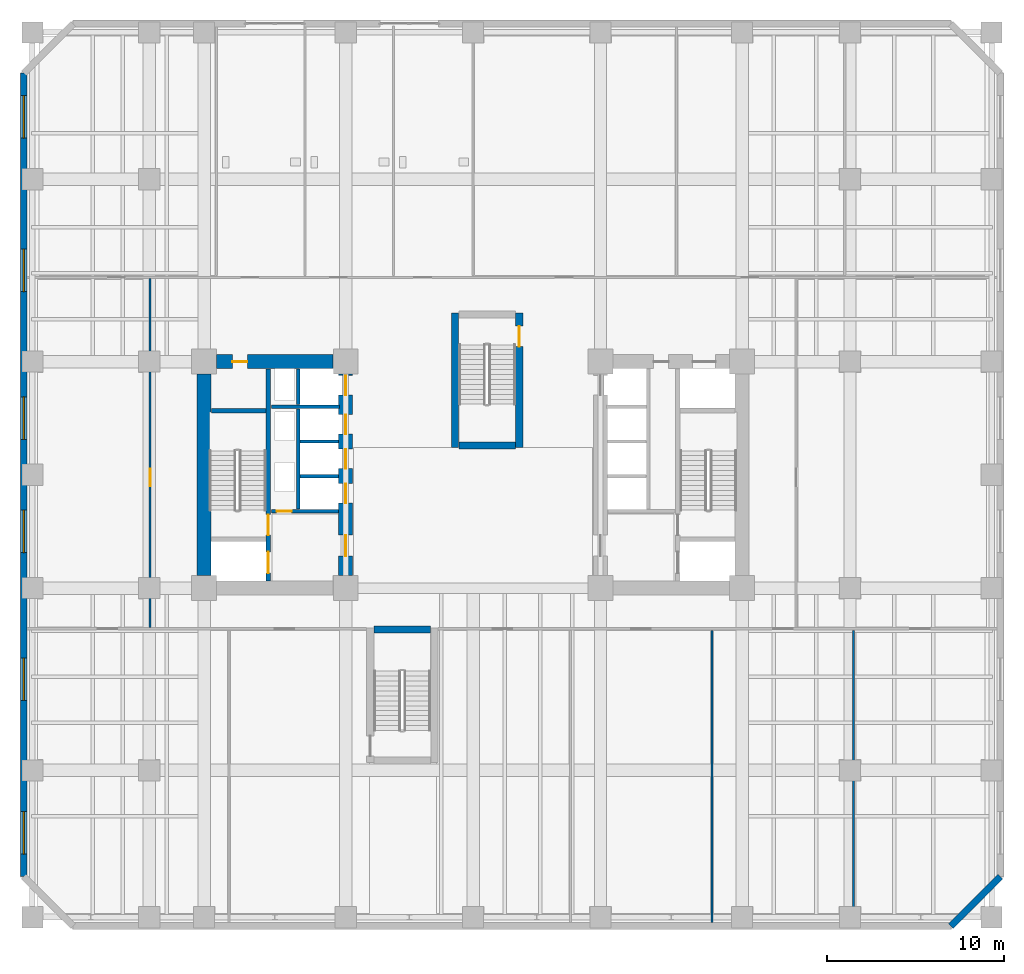
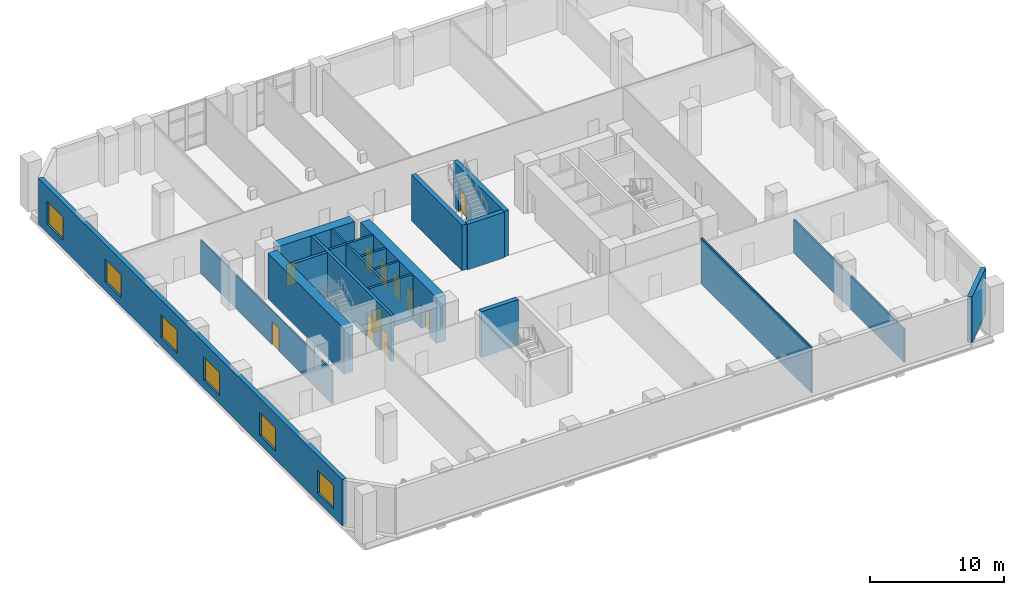
# One storey, part 7 of 15: 20 walls, 11 doors, 6 windows, 17 openings.
"""IFC4 building model written with IfcOpenShell, lengths in metres."""

from ifc_helpers import new_model, si_unit, direction, frame, frame_2d, origin, place, context, subcontext, project, spatial, rectangle, extrude, material, layer, layer_set, type_object, element, fill, save


model = new_model("IFC4")

# Units and contexts
model_context = context("Model", 3, precision=1e-05, world=origin(), true_north=direction((0.0, 1.0)))
body_context = subcontext(model_context, "Body", "Model", "MODEL_VIEW")
ifc_project = project(units=[si_unit("LENGTHUNIT", "METRE"), si_unit("AREAUNIT", "SQUARE_METRE"), si_unit("VOLUMEUNIT", "CUBIC_METRE"), si_unit("PLANEANGLEUNIT", "RADIAN"), si_unit("MASSUNIT", "GRAM", prefix="KILO")], contexts=[model_context])

# Site, building, storey
site_placement = place(None, origin())
site = spatial("IfcSite", under=ifc_project, at=site_placement, CompositionType="ELEMENT")
building_placement = place(site_placement, origin())
building = spatial("IfcBuilding", under=site, at=building_placement, Name="Kranthara Brick Stack", CompositionType="ELEMENT")
storey_placement = place(building_placement, frame((0.0, 0.0, 9.89990234375)))
storey = spatial("IfcBuildingStorey", under=building, at=storey_placement, Name="L02", CompositionType="ELEMENT", Elevation=9.89990234375)

# Wall, openings, windows
ifc_material_1 = material(Name="Kiln-fired clay brick masonry M15", Category="masonry")
ifc_layer_1 = layer(ifc_material_1, 0.3798828125)
ifc_layer_set_1 = layer_set([ifc_layer_1], Name="Kiln-fired clay brick masonry M15")
wall_type_1 = type_object("IfcWallType", Name="WL-BRK-PIER-380", PredefinedType="STANDARD", material=ifc_layer_set_1)
wall_1_placement = place(storey_placement, frame((2.610107421875, 4.5, 0.0), z_axis=(0.0, 0.0, 1.0), x_axis=(0.0, 1.0, 0.0)))
wall_1 = element("IfcWall", 1, at=wall_1_placement, inside=storey, type_object=wall_type_1, Name="L02 Exterior Brick Facade Wall WEST 1", PredefinedType="STANDARD", context=body_context, shape_type="SweptSolid", body=[
    extrude(rectangle(XDim=45.39990234375, YDim=0.3798828125, at=frame_2d((22.699951171875, 0.0))), origin(), (0.0, 0.0, 1.0), 4.18017578125),
])
opening_1_placement = place(wall_1_placement, frame((1.27490234375, 0.0, 0.75)))
opening_1 = element("IfcOpeningElement", 2, at=opening_1_placement, cuts=wall_1, Name="Opening WN11", PredefinedType="OPENING", context=body_context, shape_type="SweptSolid", body=[
    extrude(rectangle(XDim=2.39990234375, YDim=2.10009765625, at=frame_2d((1.199951171875, 1.050048828125))), frame((0.0, 0.199951171875, 0.0), z_axis=(0.0, -1.0, 0.0), x_axis=(1.0, 0.0, 0.0)), (0.0, 0.0, 1.0), 0.39990234375),
])
opening_2_placement = place(wall_1_placement, frame((9.949951171875, 0.0, 0.75)))
opening_2 = element("IfcOpeningElement", 3, at=opening_2_placement, cuts=wall_1, Name="Opening WN11", PredefinedType="OPENING", context=body_context, shape_type="SweptSolid", body=[
    extrude(rectangle(XDim=2.39990234375, YDim=2.10009765625, at=frame_2d((1.199951171875, 1.050048828125))), frame((0.0, 0.199951171875, 0.0), z_axis=(0.0, -1.0, 0.0), x_axis=(1.0, 0.0, 0.0)), (0.0, 0.0, 1.0), 0.39990234375),
])
opening_3_placement = place(wall_1_placement, frame((18.300048828125, 0.0, 0.75)))
opening_3 = element("IfcOpeningElement", 4, at=opening_3_placement, cuts=wall_1, Name="Opening WN11", PredefinedType="OPENING", context=body_context, shape_type="SweptSolid", body=[
    extrude(rectangle(XDim=2.39990234375, YDim=2.10009765625, at=frame_2d((1.199951171875, 1.050048828125))), frame((0.0, 0.199951171875, 0.0), z_axis=(0.0, -1.0, 0.0), x_axis=(1.0, 0.0, 0.0)), (0.0, 0.0, 1.0), 0.39990234375),
])
opening_4_placement = place(wall_1_placement, frame((24.699951171875, 0.0, 0.75)))
opening_4 = element("IfcOpeningElement", 5, at=opening_4_placement, cuts=wall_1, Name="Opening WN11", PredefinedType="OPENING", context=body_context, shape_type="SweptSolid", body=[
    extrude(rectangle(XDim=2.39990234375, YDim=2.10009765625, at=frame_2d((1.199951171875, 1.050048828125))), frame((0.0, 0.199951171875, 0.0), z_axis=(0.0, -1.0, 0.0), x_axis=(1.0, 0.0, 0.0)), (0.0, 0.0, 1.0), 0.39990234375),
])
opening_5_placement = place(wall_1_placement, frame((33.050048828125, 0.0, 0.75)))
opening_5 = element("IfcOpeningElement", 6, at=opening_5_placement, cuts=wall_1, Name="Opening WN11", PredefinedType="OPENING", context=body_context, shape_type="SweptSolid", body=[
    extrude(rectangle(XDim=2.39990234375, YDim=2.10009765625, at=frame_2d((1.199951171875, 1.050048828125))), frame((0.0, 0.199951171875, 0.0), z_axis=(0.0, -1.0, 0.0), x_axis=(1.0, 0.0, 0.0)), (0.0, 0.0, 1.0), 0.39990234375),
])
opening_6_placement = place(wall_1_placement, frame((41.72509765625, 0.0, 0.75)))
opening_6 = element("IfcOpeningElement", 7, at=opening_6_placement, cuts=wall_1, Name="Opening WN11", PredefinedType="OPENING", context=body_context, shape_type="SweptSolid", body=[
    extrude(rectangle(XDim=2.39990234375, YDim=2.10009765625, at=frame_2d((1.199951171875, 1.050048828125))), frame((0.0, 0.199951171875, 0.0), z_axis=(0.0, -1.0, 0.0), x_axis=(1.0, 0.0, 0.0)), (0.0, 0.0, 1.0), 0.39990234375),
])
ifc_material_2 = material(Name="Double-glazed low-E solar control glass", Category="glass")
window_type = type_object("IfcWindowType", Name="WN-POD-2400x2100", PartitioningType="TRIPLE_PANEL_VERTICAL", PredefinedType="WINDOW", material=ifc_material_2)
window_1_placement = place(opening_1_placement, origin())
window_1 = element("IfcWindow", 8, at=window_1_placement, inside=storey, type_object=window_type, Name="L02 WEST Podium Window", OverallHeight=2.10009765625, OverallWidth=2.39990234375, PartitioningType="SINGLE_PANEL", PredefinedType="WINDOW", context=body_context, shape_type="SweptSolid", body=[
    extrude(rectangle(XDim=2.39990234375, YDim=2.10009765625, at=frame_2d((1.199951171875, 1.050048828125))), frame((0.0, 0.030029296875, 0.0), z_axis=(0.0, -1.0, 0.0), x_axis=(1.0, 0.0, 0.0)), (0.0, 0.0, 1.0), 0.06005859375),
])
fill(opening_1, window_1)
window_2_placement = place(opening_2_placement, origin())
window_2 = element("IfcWindow", 9, at=window_2_placement, inside=storey, type_object=window_type, Name="L02 WEST Podium Window", OverallHeight=2.10009765625, OverallWidth=2.39990234375, PartitioningType="SINGLE_PANEL", PredefinedType="WINDOW", context=body_context, shape_type="SweptSolid", body=[
    extrude(rectangle(XDim=2.39990234375, YDim=2.10009765625, at=frame_2d((1.199951171875, 1.050048828125))), frame((0.0, 0.030029296875, 0.0), z_axis=(0.0, -1.0, 0.0), x_axis=(1.0, 0.0, 0.0)), (0.0, 0.0, 1.0), 0.06005859375),
])
fill(opening_2, window_2)
window_3_placement = place(opening_3_placement, origin())
window_3 = element("IfcWindow", 10, at=window_3_placement, inside=storey, type_object=window_type, Name="L02 WEST Podium Window", OverallHeight=2.10009765625, OverallWidth=2.39990234375, PartitioningType="SINGLE_PANEL", PredefinedType="WINDOW", context=body_context, shape_type="SweptSolid", body=[
    extrude(rectangle(XDim=2.39990234375, YDim=2.10009765625, at=frame_2d((1.199951171875, 1.050048828125))), frame((0.0, 0.030029296875, 0.0), z_axis=(0.0, -1.0, 0.0), x_axis=(1.0, 0.0, 0.0)), (0.0, 0.0, 1.0), 0.06005859375),
])
fill(opening_3, window_3)
window_4_placement = place(opening_4_placement, origin())
window_4 = element("IfcWindow", 11, at=window_4_placement, inside=storey, type_object=window_type, Name="L02 WEST Podium Window", OverallHeight=2.10009765625, OverallWidth=2.39990234375, PartitioningType="SINGLE_PANEL", PredefinedType="WINDOW", context=body_context, shape_type="SweptSolid", body=[
    extrude(rectangle(XDim=2.39990234375, YDim=2.10009765625, at=frame_2d((1.199951171875, 1.050048828125))), frame((0.0, 0.030029296875, 0.0), z_axis=(0.0, -1.0, 0.0), x_axis=(1.0, 0.0, 0.0)), (0.0, 0.0, 1.0), 0.06005859375),
])
fill(opening_4, window_4)
window_5_placement = place(opening_5_placement, origin())
window_5 = element("IfcWindow", 12, at=window_5_placement, inside=storey, type_object=window_type, Name="L02 WEST Podium Window", OverallHeight=2.10009765625, OverallWidth=2.39990234375, PartitioningType="SINGLE_PANEL", PredefinedType="WINDOW", context=body_context, shape_type="SweptSolid", body=[
    extrude(rectangle(XDim=2.39990234375, YDim=2.10009765625, at=frame_2d((1.199951171875, 1.050048828125))), frame((0.0, 0.030029296875, 0.0), z_axis=(0.0, -1.0, 0.0), x_axis=(1.0, 0.0, 0.0)), (0.0, 0.0, 1.0), 0.06005859375),
])
fill(opening_5, window_5)
window_6_placement = place(opening_6_placement, origin())
window_6 = element("IfcWindow", 13, at=window_6_placement, inside=storey, type_object=window_type, Name="L02 WEST Podium Window", OverallHeight=2.10009765625, OverallWidth=2.39990234375, PartitioningType="SINGLE_PANEL", PredefinedType="WINDOW", context=body_context, shape_type="SweptSolid", body=[
    extrude(rectangle(XDim=2.39990234375, YDim=2.10009765625, at=frame_2d((1.199951171875, 1.050048828125))), frame((0.0, 0.030029296875, 0.0), z_axis=(0.0, -1.0, 0.0), x_axis=(1.0, 0.0, 0.0)), (0.0, 0.0, 1.0), 0.06005859375),
])
fill(opening_6, window_6)

# Wall
wall_2_placement = place(storey_placement, frame((57.7900390625, 4.5, 0.0), z_axis=(0.0, 0.0, 1.0), x_axis=(-0.707106781187, -0.707106781187, 0.0)))
element("IfcWall", 14, at=wall_2_placement, inside=storey, type_object=wall_type_1, Name="L02 Exterior Brick Facade Wall SE 1", PredefinedType="STANDARD", context=body_context, shape_type="SweptSolid", body=[
    extrude(rectangle(XDim=3.94580078125, YDim=0.3798828125, at=frame_2d((1.972900390625, 0.0))), origin(), (0.0, 0.0, 1.0), 4.18017578125),
])

# Wall, openings, doors
ifc_material_3 = material(Name="Concrete C50/60", Category="concrete")
ifc_layer_2 = layer(ifc_material_3, 0.25)
ifc_layer_set_2 = layer_set([ifc_layer_2], Name="Concrete C50/60")
wall_type_2 = type_object("IfcWallType", Name="WL-CORE-250", PredefinedType="SHEAR", material=ifc_layer_set_2)
wall_3_placement = place(storey_placement, frame((16.43505859375, 21.2099609375, 0.0), z_axis=(0.0, 0.0, 1.0), x_axis=(0.0, 1.0, 0.0)))
wall_3 = element("IfcWall", 15, at=wall_3_placement, inside=storey, type_object=wall_type_2, Name="L02 West Core Stair Bearing Spine Wall", PredefinedType="SHEAR", context=body_context, shape_type="SweptSolid", body=[
    extrude(rectangle(XDim=11.97998046875, YDim=0.25, at=frame_2d((5.989990234375, 0.0))), origin(), (0.0, 0.0, 1.0), 4.18017578125),
])
opening_7_placement = place(wall_3_placement, frame((0.43994140625, 0.0, 0.0)))
opening_7 = element("IfcOpeningElement", 16, at=opening_7_placement, cuts=wall_3, Name="Opening LD01", PredefinedType="OPENING", context=body_context, shape_type="SweptSolid", body=[
    extrude(rectangle(XDim=1.199951171875, YDim=2.14990234375, at=frame_2d((0.60009765625, 1.074951171875))), frame((0.0, 0.135009765625, 0.0), z_axis=(0.0, -1.0, 0.0), x_axis=(1.0, 0.0, 0.0)), (0.0, 0.0, 1.0), 0.27001953125),
])
opening_8_placement = place(wall_3_placement, frame((2.590087890625, 0.0, 0.0)))
opening_8 = element("IfcOpeningElement", 17, at=opening_8_placement, cuts=wall_3, Name="Opening D05", PredefinedType="OPENING", context=body_context, shape_type="SweptSolid", body=[
    extrude(rectangle(XDim=1.14990234375, YDim=2.14990234375, at=frame_2d((0.574951171875, 1.074951171875))), frame((0.0, 0.135009765625, 0.0), z_axis=(0.0, -1.0, 0.0), x_axis=(1.0, 0.0, 0.0)), (0.0, 0.0, 1.0), 0.27001953125),
])
ifc_material_4 = material(Name="Stainless steel sliding landing door", Category="steel")
door_type_1 = type_object("IfcDoorType", Name="DR-LD-FF1200", OperationType="DOUBLE_DOOR_SLIDING", PredefinedType="DOOR", material=ifc_material_4)
door_1_placement = place(opening_7_placement, origin())
door_1 = element("IfcDoor", 18, at=door_1_placement, inside=storey, type_object=door_type_1, Name="L02 Firefighting Lift FF-01 Landing Door", OperationType="DOUBLE_DOOR_SLIDING", OverallHeight=2.14990234375, OverallWidth=1.199951171875, PredefinedType="DOOR", context=body_context, shape_type="SweptSolid", body=[
    extrude(rectangle(XDim=1.199951171875, YDim=2.14990234375, at=frame_2d((0.60009765625, 1.074951171875))), frame((0.0, 0.02490234375, 0.0), z_axis=(0.0, -1.0, 0.0), x_axis=(1.0, 0.0, 0.0)), (0.0, 0.0, 1.0), 0.050048828125),
])
fill(opening_7, door_1)
ifc_material_5 = material(Name="Solid-core hardwood timber leaf in steel frame", Category="steel")
door_type_2 = type_object("IfcDoorType", Name="DR-ST-1150", OperationType="NOTDEFINED", PredefinedType="DOOR", material=ifc_material_5)
door_2_placement = place(opening_8_placement, origin())
door_2 = element("IfcDoor", 19, at=door_2_placement, inside=storey, type_object=door_type_2, Name="L02 Exit Stair ST01 Door", OperationType="SINGLE_SWING_RIGHT", OverallHeight=2.14990234375, OverallWidth=1.14990234375, PredefinedType="DOOR", context=body_context, shape_type="SweptSolid", body=[
    extrude(rectangle(XDim=1.14990234375, YDim=2.14990234375, at=frame_2d((0.574951171875, 1.074951171875))), frame((0.0, 0.02490234375, 0.0), z_axis=(0.0, -1.0, 0.0), x_axis=(1.0, 0.0, 0.0)), (0.0, 0.0, 1.0), 0.050048828125),
])
fill(opening_8, door_2)

# Walls
wall_4_placement = place(storey_placement, frame((13.2099609375, 30.830078125, 0.0), z_axis=(0.0, 0.0, 1.0), x_axis=(1.0, 0.0, 0.0)))
element("IfcWall", 20, at=wall_4_placement, inside=storey, type_object=wall_type_2, Name="L02 West Stairwell Bearing Wall WST", PredefinedType="SHEAR", context=body_context, shape_type="SweptSolid", body=[
    extrude(rectangle(XDim=3.10009765625, YDim=0.25, at=frame_2d((1.550048828125, 0.0))), origin(), (0.0, 0.0, 1.0), 4.18017578125),
])
ifc_material_6 = material(Name="Concrete C50/60", Category="concrete")
ifc_layer_3 = layer(ifc_material_6, 0.39990234375)
ifc_layer_set_3 = layer_set([ifc_layer_3], Name="Concrete C50/60")
wall_type_3 = type_object("IfcWallType", Name="WL-CORE-400", PredefinedType="SHEAR", material=ifc_layer_set_3)
wall_5_placement = place(storey_placement, frame((22.39990234375, 18.449951171875, 0.0), z_axis=(0.0, 0.0, 1.0), x_axis=(1.0, 0.0, 0.0)))
element("IfcWall", 21, at=wall_5_placement, inside=storey, type_object=wall_type_3, Name="L02 Stair ST03 Bearing Wall N", PredefinedType="SHEAR", context=body_context, shape_type="SweptSolid", body=[
    extrude(rectangle(XDim=3.2001953125, YDim=0.39990234375, at=frame_2d((1.60009765625, 0.0))), origin(), (0.0, 0.0, 1.0), 4.18017578125),
])
wall_6_placement = place(storey_placement, frame((26.989990234375, 28.75, 0.0), z_axis=(0.0, 0.0, 1.0), x_axis=(0.0, 1.0, 0.0)))
element("IfcWall", 22, at=wall_6_placement, inside=storey, type_object=wall_type_3, Name="L02 Stair ST04 Bearing Wall W", PredefinedType="SHEAR", context=body_context, shape_type="SweptSolid", body=[
    extrude(rectangle(XDim=7.60009765625, YDim=0.39990234375, at=frame_2d((3.800048828125, 0.0))), origin(), (0.0, 0.0, 1.0), 4.18017578125),
])

# Wall, opening, door
wall_7_placement = place(storey_placement, frame((30.610107421875, 28.75, 0.0), z_axis=(0.0, 0.0, 1.0), x_axis=(0.0, 1.0, 0.0)))
wall_7 = element("IfcWall", 23, at=wall_7_placement, inside=storey, type_object=wall_type_3, Name="L02 Stair ST04 Bearing Wall E", PredefinedType="SHEAR", context=body_context, shape_type="SweptSolid", body=[
    extrude(rectangle(XDim=7.60009765625, YDim=0.39990234375, at=frame_2d((3.800048828125, 0.0))), origin(), (0.0, 0.0, 1.0), 4.18017578125),
])
opening_9_placement = place(wall_7_placement, frame((5.699951171875, 0.0, 0.0)))
opening_9 = element("IfcOpeningElement", 24, at=opening_9_placement, cuts=wall_7, Name="Opening D05", PredefinedType="OPENING", context=body_context, shape_type="SweptSolid", body=[
    extrude(rectangle(XDim=1.14990234375, YDim=2.14990234375, at=frame_2d((0.574951171875, 1.074951171875))), frame((0.0, 0.2099609375, 0.0), z_axis=(0.0, -1.0, 0.0), x_axis=(1.0, 0.0, 0.0)), (0.0, 0.0, 1.0), 0.419921875),
])
door_3_placement = place(opening_9_placement, origin())
door_3 = element("IfcDoor", 25, at=door_3_placement, inside=storey, type_object=door_type_2, Name="L02 Stair ST04 Door", OperationType="SINGLE_SWING_RIGHT", OverallHeight=2.14990234375, OverallWidth=1.14990234375, PredefinedType="DOOR", context=body_context, shape_type="SweptSolid", body=[
    extrude(rectangle(XDim=1.14990234375, YDim=2.14990234375, at=frame_2d((0.574951171875, 1.074951171875))), frame((0.0, 0.02490234375, 0.0), z_axis=(0.0, -1.0, 0.0), x_axis=(1.0, 0.0, 0.0)), (0.0, 0.0, 1.0), 0.050048828125),
])
fill(opening_9, door_3)

# Walls
wall_8_placement = place(storey_placement, frame((27.199951171875, 28.85009765625, 0.0), z_axis=(0.0, 0.0, 1.0), x_axis=(1.0, 0.0, 0.0)))
element("IfcWall", 26, at=wall_8_placement, inside=storey, type_object=wall_type_3, Name="L02 Stair ST04 Bearing Wall S", PredefinedType="SHEAR", context=body_context, shape_type="SweptSolid", body=[
    extrude(rectangle(XDim=3.199951171875, YDim=0.39990234375, at=frame_2d((1.60009765625, 0.0))), origin(), (0.0, 0.0, 1.0), 4.18017578125),
])
ifc_material_7 = material(Name="Concrete C70/85", Category="concrete")
ifc_layer_4 = layer(ifc_material_7, 0.800048828125)
ifc_layer_set_4 = layer_set([ifc_layer_4], Name="Concrete C70/85")
wall_type_4 = type_object("IfcWallType", Name="WL-CORE-800", PredefinedType="SHEAR", material=ifc_layer_set_4)
wall_9_placement = place(storey_placement, frame((12.800048828125, 21.5048828125, 0.0), z_axis=(0.0, 0.0, 1.0), x_axis=(0.0, 1.0, 0.0)))
element("IfcWall", 27, at=wall_9_placement, inside=storey, type_object=wall_type_4, Name="L02 West Core Shear Wall West", PredefinedType="SHEAR", context=body_context, shape_type="SweptSolid", body=[
    extrude(rectangle(XDim=11.39013671875, YDim=0.800048828125, at=frame_2d((5.695068359375, 0.0))), origin(), (0.0, 0.0, 1.0), 4.18017578125),
])

# Wall, opening, door
wall_10_placement = place(storey_placement, frame((13.5048828125, 33.60009765625, 0.0), z_axis=(0.0, 0.0, 1.0), x_axis=(1.0, 0.0, 0.0)))
wall_10 = element("IfcWall", 28, at=wall_10_placement, inside=storey, type_object=wall_type_4, Name="L02 West Core Shear Wall North", PredefinedType="SHEAR", context=body_context, shape_type="SweptSolid", body=[
    extrude(rectangle(XDim=6.590087890625, YDim=0.800048828125, at=frame_2d((3.294921875, 0.0))), origin(), (0.0, 0.0, 1.0), 4.18017578125),
])
opening_10_placement = place(wall_10_placement, frame((0.89501953125, 0.0, 0.0)))
opening_10 = element("IfcOpeningElement", 29, at=opening_10_placement, cuts=wall_10, Name="Opening D10", PredefinedType="OPENING", context=body_context, shape_type="SweptSolid", body=[
    extrude(rectangle(XDim=0.85009765625, YDim=2.02001953125, at=frame_2d((0.425048828125, 1.010009765625))), frame((0.0, 0.409912109375, 0.0), z_axis=(0.0, -1.0, 0.0), x_axis=(1.0, 0.0, 0.0)), (0.0, 0.0, 1.0), 0.820068359375),
])
ifc_material_8 = material(Name="Solid-core hardwood timber leaf in steel frame", Category="steel")
door_type_3 = type_object("IfcDoorType", Name="DR-RSR-850", OperationType="NOTDEFINED", PredefinedType="DOOR", material=ifc_material_8)
door_4_placement = place(opening_10_placement, origin())
door_4 = element("IfcDoor", 30, at=door_4_placement, inside=storey, type_object=door_type_3, Name="L02 West Core Service Door 1", OperationType="SINGLE_SWING_LEFT", OverallHeight=2.02001953125, OverallWidth=0.85009765625, PredefinedType="DOOR", context=body_context, shape_type="SweptSolid", body=[
    extrude(rectangle(XDim=0.85009765625, YDim=2.02001953125, at=frame_2d((0.425048828125, 1.010009765625))), frame((0.0, 0.02490234375, 0.0), z_axis=(0.0, -1.0, 0.0), x_axis=(1.0, 0.0, 0.0)), (0.0, 0.0, 1.0), 0.050048828125),
])
fill(opening_10, door_4)

# Wall, openings, doors
wall_11_placement = place(storey_placement, frame((20.800048828125, 21.5048828125, 0.0), z_axis=(0.0, 0.0, 1.0), x_axis=(0.0, 1.0, 0.0)))
wall_11 = element("IfcWall", 31, at=wall_11_placement, inside=storey, type_object=wall_type_4, Name="L02 West Core Shear Wall East", PredefinedType="SHEAR", context=body_context, shape_type="SweptSolid", body=[
    extrude(rectangle(XDim=11.39013671875, YDim=0.800048828125, at=frame_2d((5.695068359375, 0.0))), origin(), (0.0, 0.0, 1.0), 4.18017578125),
])
opening_11_placement = place(wall_11_placement, frame((1.094970703125, 0.0, 0.0)))
opening_11 = element("IfcOpeningElement", 32, at=opening_11_placement, cuts=wall_11, Name="Opening D06", PredefinedType="OPENING", context=body_context, shape_type="SweptSolid", body=[
    extrude(rectangle(XDim=1.199951171875, YDim=2.14990234375, at=frame_2d((0.60009765625, 1.074951171875))), frame((0.0, 0.409912109375, 0.0), z_axis=(0.0, -1.0, 0.0), x_axis=(1.0, 0.0, 0.0)), (0.0, 0.0, 1.0), 0.820068359375),
])
opening_12_placement = place(wall_11_placement, frame((4.094970703125, 0.0, 0.0)))
opening_12 = element("IfcOpeningElement", 33, at=opening_12_placement, cuts=wall_11, Name="Opening LD02", PredefinedType="OPENING", context=body_context, shape_type="SweptSolid", body=[
    extrude(rectangle(XDim=1.10009765625, YDim=2.10009765625, at=frame_2d((0.550048828125, 1.050048828125))), frame((0.0, 0.409912109375, 0.0), z_axis=(0.0, -1.0, 0.0), x_axis=(1.0, 0.0, 0.0)), (0.0, 0.0, 1.0), 0.820068359375),
])
opening_13_placement = place(wall_11_placement, frame((6.044921875, 0.0, 0.0)))
opening_13 = element("IfcOpeningElement", 34, at=opening_13_placement, cuts=wall_11, Name="Opening LD02", PredefinedType="OPENING", context=body_context, shape_type="SweptSolid", body=[
    extrude(rectangle(XDim=1.10009765625, YDim=2.10009765625, at=frame_2d((0.550048828125, 1.050048828125))), frame((0.0, 0.409912109375, 0.0), z_axis=(0.0, -1.0, 0.0), x_axis=(1.0, 0.0, 0.0)), (0.0, 0.0, 1.0), 0.820068359375),
])
opening_14_placement = place(wall_11_placement, frame((7.9951171875, 0.0, 0.0)))
opening_14 = element("IfcOpeningElement", 35, at=opening_14_placement, cuts=wall_11, Name="Opening LD02", PredefinedType="OPENING", context=body_context, shape_type="SweptSolid", body=[
    extrude(rectangle(XDim=1.10009765625, YDim=2.10009765625, at=frame_2d((0.550048828125, 1.050048828125))), frame((0.0, 0.409912109375, 0.0), z_axis=(0.0, -1.0, 0.0), x_axis=(1.0, 0.0, 0.0)), (0.0, 0.0, 1.0), 0.820068359375),
])
opening_15_placement = place(wall_11_placement, frame((10.195068359375, 0.0, 0.0)))
opening_15 = element("IfcOpeningElement", 36, at=opening_15_placement, cuts=wall_11, Name="Opening LD02", PredefinedType="OPENING", context=body_context, shape_type="SweptSolid", body=[
    extrude(rectangle(XDim=1.10009765625, YDim=2.10009765625, at=frame_2d((0.550048828125, 1.050048828125))), frame((0.0, 0.409912109375, 0.0), z_axis=(0.0, -1.0, 0.0), x_axis=(1.0, 0.0, 0.0)), (0.0, 0.0, 1.0), 0.820068359375),
])
ifc_material_9 = material(Name="Solid-core hardwood timber leaf in steel frame", Category="steel")
door_type_4 = type_object("IfcDoorType", Name="DR-FFL-1200", OperationType="NOTDEFINED", PredefinedType="DOOR", material=ifc_material_9)
door_5_placement = place(opening_11_placement, origin())
door_5 = element("IfcDoor", 37, at=door_5_placement, inside=storey, type_object=door_type_4, Name="L02 West Firefighting Lobby Door", OperationType="SINGLE_SWING_LEFT", OverallHeight=2.14990234375, OverallWidth=1.199951171875, PredefinedType="DOOR", context=body_context, shape_type="SweptSolid", body=[
    extrude(rectangle(XDim=1.199951171875, YDim=2.14990234375, at=frame_2d((0.60009765625, 1.074951171875))), frame((0.0, 0.02490234375, 0.0), z_axis=(0.0, -1.0, 0.0), x_axis=(1.0, 0.0, 0.0)), (0.0, 0.0, 1.0), 0.050048828125),
])
fill(opening_11, door_5)
ifc_material_10 = material(Name="Stainless steel sliding landing door", Category="steel")
door_type_5 = type_object("IfcDoorType", Name="DR-LD-PL1100", OperationType="DOUBLE_DOOR_SLIDING", PredefinedType="DOOR", material=ifc_material_10)
door_6_placement = place(opening_12_placement, origin())
door_6 = element("IfcDoor", 38, at=door_6_placement, inside=storey, type_object=door_type_5, Name="L02 PL-01 Lift Landing Door", OperationType="DOUBLE_DOOR_SLIDING", OverallHeight=2.10009765625, OverallWidth=1.10009765625, PredefinedType="DOOR", context=body_context, shape_type="SweptSolid", body=[
    extrude(rectangle(XDim=1.10009765625, YDim=2.10009765625, at=frame_2d((0.550048828125, 1.050048828125))), frame((0.0, 0.02490234375, 0.0), z_axis=(0.0, -1.0, 0.0), x_axis=(1.0, 0.0, 0.0)), (0.0, 0.0, 1.0), 0.050048828125),
])
fill(opening_12, door_6)
door_7_placement = place(opening_13_placement, origin())
door_7 = element("IfcDoor", 39, at=door_7_placement, inside=storey, type_object=door_type_5, Name="L02 PL-02 Lift Landing Door", OperationType="DOUBLE_DOOR_SLIDING", OverallHeight=2.10009765625, OverallWidth=1.10009765625, PredefinedType="DOOR", context=body_context, shape_type="SweptSolid", body=[
    extrude(rectangle(XDim=1.10009765625, YDim=2.10009765625, at=frame_2d((0.550048828125, 1.050048828125))), frame((0.0, 0.02490234375, 0.0), z_axis=(0.0, -1.0, 0.0), x_axis=(1.0, 0.0, 0.0)), (0.0, 0.0, 1.0), 0.050048828125),
])
fill(opening_13, door_7)
door_8_placement = place(opening_14_placement, origin())
door_8 = element("IfcDoor", 40, at=door_8_placement, inside=storey, type_object=door_type_5, Name="L02 PL-03 Lift Landing Door", OperationType="DOUBLE_DOOR_SLIDING", OverallHeight=2.10009765625, OverallWidth=1.10009765625, PredefinedType="DOOR", context=body_context, shape_type="SweptSolid", body=[
    extrude(rectangle(XDim=1.10009765625, YDim=2.10009765625, at=frame_2d((0.550048828125, 1.050048828125))), frame((0.0, 0.02490234375, 0.0), z_axis=(0.0, -1.0, 0.0), x_axis=(1.0, 0.0, 0.0)), (0.0, 0.0, 1.0), 0.050048828125),
])
fill(opening_14, door_8)
door_9_placement = place(opening_15_placement, origin())
door_9 = element("IfcDoor", 41, at=door_9_placement, inside=storey, type_object=door_type_5, Name="L02 PL-07 Lift Landing Door", OperationType="DOUBLE_DOOR_SLIDING", OverallHeight=2.10009765625, OverallWidth=1.10009765625, PredefinedType="DOOR", context=body_context, shape_type="SweptSolid", body=[
    extrude(rectangle(XDim=1.10009765625, YDim=2.10009765625, at=frame_2d((0.550048828125, 1.050048828125))), frame((0.0, 0.02490234375, 0.0), z_axis=(0.0, -1.0, 0.0), x_axis=(1.0, 0.0, 0.0)), (0.0, 0.0, 1.0), 0.050048828125),
])
fill(opening_15, door_9)

# Walls
ifc_material_11 = material(Name="Acoustic gypsum plasterboard partition", Category="other")
ifc_layer_5 = layer(ifc_material_11, 0.1201171875)
ifc_layer_set_5 = layer_set([ifc_layer_5], Name="Acoustic gypsum plasterboard partition")
wall_type_5 = type_object("IfcWallType", Name="WL-PART-120", PredefinedType="PARTITIONING", material=ifc_layer_set_5)
wall_12_placement = place(storey_placement, frame((41.5, 1.905029296875, 0.0), z_axis=(0.0, 0.0, 1.0), x_axis=(0.0, 1.0, 0.0)))
element("IfcWall", 42, at=wall_12_placement, inside=storey, type_object=wall_type_5, Name="L02 Interior Partition 005", PredefinedType="PARTITIONING", context=body_context, shape_type="SweptSolid", body=[
    extrude(rectangle(XDim=16.494873046875, YDim=0.1201171875, at=frame_2d((8.24755859375, 0.0))), origin(), (0.0, 0.0, 1.0), 4.18017578125),
])
wall_13_placement = place(storey_placement, frame((49.5, 1.905029296875, 0.0), z_axis=(0.0, 0.0, 1.0), x_axis=(0.0, 1.0, 0.0)))
element("IfcWall", 43, at=wall_13_placement, inside=storey, type_object=wall_type_5, Name="L02 Interior Partition 006", PredefinedType="PARTITIONING", context=body_context, shape_type="SweptSolid", body=[
    extrude(rectangle(XDim=16.494873046875, YDim=0.1201171875, at=frame_2d((8.24755859375, 0.0))), origin(), (0.0, 0.0, 1.0), 3.065185546875),
])

# Wall, opening, door
wall_14_placement = place(storey_placement, frame((9.75, 18.56494140625, 0.0), z_axis=(0.0, 0.0, 1.0), x_axis=(0.0, 1.0, 0.0)))
wall_14 = element("IfcWall", 44, at=wall_14_placement, inside=storey, type_object=wall_type_5, Name="L02 Interior Partition 014", PredefinedType="PARTITIONING", context=body_context, shape_type="SweptSolid", body=[
    extrude(rectangle(XDim=19.719970703125, YDim=0.1201171875, at=frame_2d((9.85986328125, 0.0))), origin(), (0.0, 0.0, 1.0), 3.065185546875),
])
opening_16_placement = place(wall_14_placement, frame((7.985107421875, 0.0, 0.0)))
opening_16 = element("IfcOpeningElement", 45, at=opening_16_placement, cuts=wall_14, Name="Opening D13", PredefinedType="OPENING", context=body_context, shape_type="SweptSolid", body=[
    extrude(rectangle(XDim=1.0, YDim=2.10009765625, at=frame_2d((0.5, 1.050048828125))), frame((0.0, 0.070068359375, 0.0), z_axis=(0.0, -1.0, 0.0), x_axis=(1.0, 0.0, 0.0)), (0.0, 0.0, 1.0), 0.14013671875),
])
ifc_material_12 = material(Name="Solid-core hardwood timber leaf in steel frame", Category="steel")
door_type_6 = type_object("IfcDoorType", Name="DR-INT-1000", OperationType="NOTDEFINED", PredefinedType="DOOR", material=ifc_material_12)
door_10_placement = place(opening_16_placement, origin())
door_10 = element("IfcDoor", 46, at=door_10_placement, inside=storey, type_object=door_type_6, Name="L02 West Gallery Office 14", OperationType="SINGLE_SWING_RIGHT", OverallHeight=2.10009765625, OverallWidth=1.0, PredefinedType="DOOR", context=body_context, shape_type="SweptSolid", body=[
    extrude(rectangle(XDim=1.0, YDim=2.10009765625, at=frame_2d((0.5, 1.050048828125))), frame((0.0, 0.02490234375, 0.0), z_axis=(0.0, -1.0, 0.0), x_axis=(1.0, 0.0, 0.0)), (0.0, 0.0, 1.0), 0.050048828125),
])
fill(opening_16, door_10)

# Walls
ifc_material_13 = material(Name="Gypsum plasterboard on acoustic twin stud", Category="other")
ifc_layer_6 = layer(ifc_material_13, 0.179931640625)
ifc_layer_set_6 = layer_set([ifc_layer_6], Name="Gypsum plasterboard on acoustic twin stud")
wall_type_6 = type_object("IfcWallType", Name="WL-PART-180", PredefinedType="PARTITIONING", material=ifc_layer_set_6)
wall_15_placement = place(storey_placement, frame((18.1201171875, 25.27001953125, 0.0), z_axis=(0.0, 0.0, 1.0), x_axis=(0.0, 1.0, 0.0)))
element("IfcWall", 47, at=wall_15_placement, inside=storey, type_object=wall_type_6, Name="L02 West Hoistway Wall WBK", PredefinedType="PARTITIONING", context=body_context, shape_type="SweptSolid", body=[
    extrude(rectangle(XDim=5.659912109375, YDim=0.179931640625, at=frame_2d((2.830078125, 0.0))), origin(), (0.0, 0.0, 1.0), 4.18017578125),
])
wall_16_placement = place(storey_placement, frame((18.1201171875, 31.169921875, 0.0), z_axis=(0.0, 0.0, 1.0), x_axis=(0.0, 1.0, 0.0)))
element("IfcWall", 48, at=wall_16_placement, inside=storey, type_object=wall_type_6, Name="L02 West Hoistway Wall WBK7", PredefinedType="PARTITIONING", context=body_context, shape_type="SweptSolid", body=[
    extrude(rectangle(XDim=2.02001953125, YDim=0.179931640625, at=frame_2d((1.010009765625, 0.0))), origin(), (0.0, 0.0, 1.0), 4.18017578125),
])
for number, where, z_axis, x_axis, name in (
    (49, (18.219970703125, 27.1201171875, 0.0), (0.0, 0.0, 1.0), (1.0, 0.0, 0.0), "L02 West Hoistway Wall WH1"),
    (50, (18.219970703125, 29.080078125, 0.0), (0.0, 0.0, 1.0), (1.0, 0.0, 0.0), "L02 West Hoistway Wall WH2"),
):
    element("IfcWall", number, at=place(storey_placement, frame(where, z_axis=z_axis, x_axis=x_axis)), inside=storey, type_object=wall_type_6, Name=name, PredefinedType="PARTITIONING", context=body_context, shape_type="SweptSolid", body=[
        extrude(rectangle(XDim=2.169921875, YDim=0.179931640625, at=frame_2d((1.0849609375, 0.0))), origin(), (0.0, 0.0, 1.0), 4.18017578125),
    ])

# Wall, opening, door
ifc_material_14 = material(Name="Concrete C40/50", Category="concrete")
ifc_layer_7 = layer(ifc_material_14, 0.199951171875)
ifc_layer_set_7 = layer_set([ifc_layer_7], Name="Concrete C40/50")
wall_type_7 = type_object("IfcWallType", Name="WL-PART-200", PredefinedType="SOLIDWALL", material=ifc_layer_set_7)
wall_17_placement = place(storey_placement, frame((16.60009765625, 25.14990234375, 0.0), z_axis=(0.0, 0.0, 1.0), x_axis=(1.0, 0.0, 0.0)))
wall_17 = element("IfcWall", 51, at=wall_17_placement, inside=storey, type_object=wall_type_7, Name="L02 West Core Cross Wall WFL", PredefinedType="SOLIDWALL", context=body_context, shape_type="SweptSolid", body=[
    extrude(rectangle(XDim=3.789794921875, YDim=0.199951171875, at=frame_2d((1.89501953125, 0.0))), origin(), (0.0, 0.0, 1.0), 4.18017578125),
])
opening_17_placement = place(wall_17_placement, frame((0.300048828125, 0.0, 0.0)))
opening_17 = element("IfcOpeningElement", 52, at=opening_17_placement, cuts=wall_17, Name="Opening D10", PredefinedType="OPENING", context=body_context, shape_type="SweptSolid", body=[
    extrude(rectangle(XDim=0.85009765625, YDim=2.02001953125, at=frame_2d((0.425048828125, 1.010009765625))), frame((0.0, 0.10986328125, 0.0), z_axis=(0.0, -1.0, 0.0), x_axis=(1.0, 0.0, 0.0)), (0.0, 0.0, 1.0), 0.219970703125),
])
door_11_placement = place(opening_17_placement, origin())
door_11 = element("IfcDoor", 53, at=door_11_placement, inside=storey, type_object=door_type_3, Name="L02 Mechanical Riser Access Door", OperationType="SINGLE_SWING_LEFT", OverallHeight=2.02001953125, OverallWidth=0.85009765625, PredefinedType="DOOR", context=body_context, shape_type="SweptSolid", body=[
    extrude(rectangle(XDim=0.85009765625, YDim=2.02001953125, at=frame_2d((0.425048828125, 1.010009765625))), frame((0.0, 0.02490234375, 0.0), z_axis=(0.0, -1.0, 0.0), x_axis=(1.0, 0.0, 0.0)), (0.0, 0.0, 1.0), 0.050048828125),
])
fill(opening_17, door_11)

# Wall
wall_18_placement = place(storey_placement, frame((16.60009765625, 31.050048828125, 0.0), z_axis=(0.0, 0.0, 1.0), x_axis=(1.0, 0.0, 0.0)))
element("IfcWall", 54, at=wall_18_placement, inside=storey, type_object=wall_type_7, Name="L02 West Core Cross Wall WH4", PredefinedType="SOLIDWALL", context=body_context, shape_type="SweptSolid", body=[
    extrude(rectangle(XDim=3.849853515625, YDim=0.199951171875, at=frame_2d((1.9248046875, 0.0))), origin(), (0.0, 0.0, 1.0), 4.18017578125),
])

save(model, "model.ifc")
